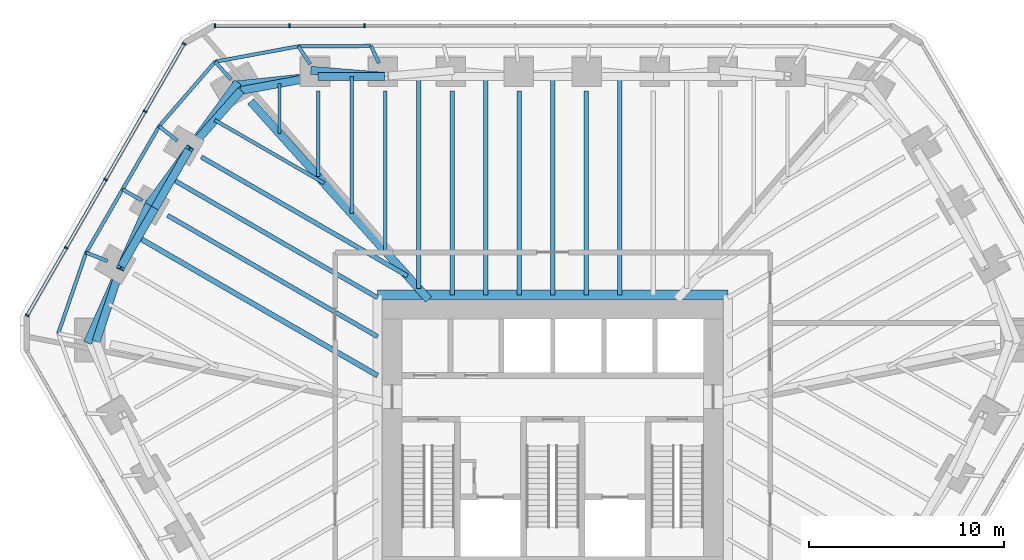
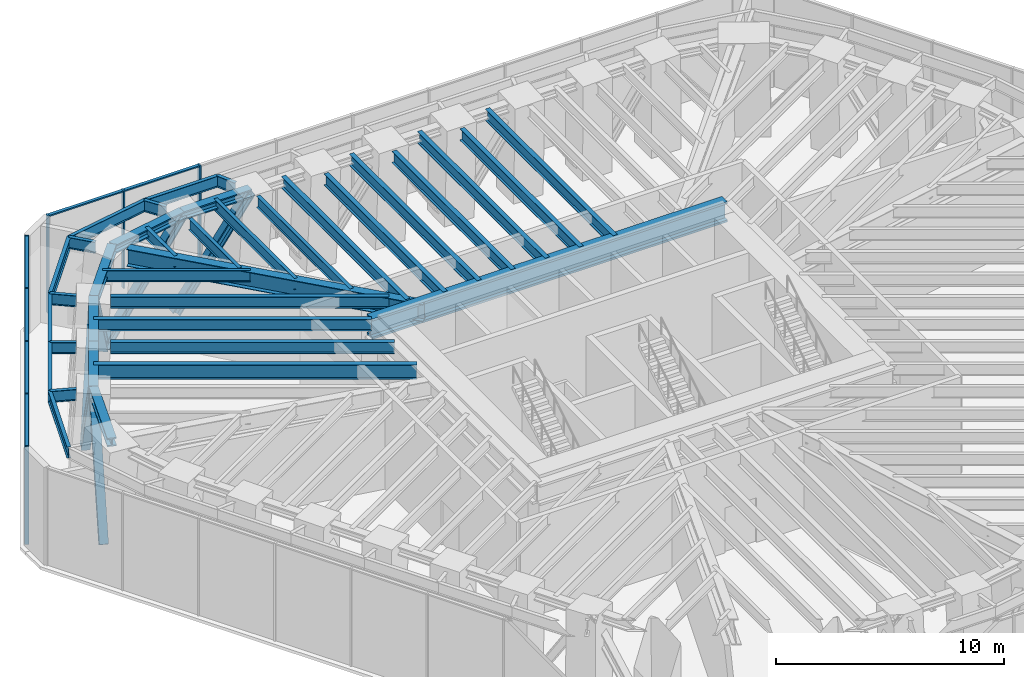
# One storey, part 7 of 13: 36 beams, 20 members, 2 elements without a shape of their own.
"""IFC4 building model written with IfcOpenShell, lengths in metres."""

from ifc_helpers import new_model, si_unit, direction, frame, origin, origin_2d, place, context, subcontext, project, spatial, rectangle, i_section, extrude, material, material_profile, profile_set, type_object, element, aggregate, save


model = new_model("IFC4")

# Units and contexts
model_context = context("Model", 3, precision=1e-05, world=origin(), true_north=direction((0.0, 1.0)))
body_context = subcontext(model_context, "Body", "Model", "MODEL_VIEW")
ifc_project = project(units=[si_unit("LENGTHUNIT", "METRE"), si_unit("AREAUNIT", "SQUARE_METRE"), si_unit("VOLUMEUNIT", "CUBIC_METRE"), si_unit("PLANEANGLEUNIT", "RADIAN"), si_unit("MASSUNIT", "GRAM", prefix="KILO")], contexts=[model_context])

# Site, building, storey
site_placement = place(None, origin())
site = spatial("IfcSite", under=ifc_project, at=site_placement, CompositionType="ELEMENT")
building_placement = place(site_placement, origin())
building = spatial("IfcBuilding", under=site, at=building_placement, Name="Sandreach Pilgrim Tower", CompositionType="ELEMENT")
storey_placement = place(building_placement, frame((0.0, 0.0, 251.60009765625)))
storey = spatial("IfcBuildingStorey", under=building, at=storey_placement, Name="L63", CompositionType="ELEMENT", Elevation=251.60009765625)

# Beams
ifc_material_1 = material(Name="Steel ASTM A913 Grade 65", Category="steel")
ifc_material_profile_1 = material_profile(ifc_material_1, i_section(OverallWidth=0.419189453125, OverallDepth=0.45458984375, WebThickness=0.042236328125, FlangeThickness=0.067626953125, at=origin_2d()), Name="W14X370")
ifc_profile_set_1 = profile_set([ifc_material_profile_1], Name="Steel ASTM A913 Grade 65")
beam_type_1 = type_object("IfcBeamType", Name="Belt truss chord W14X370", PredefinedType="BEAM", material=ifc_profile_set_1)
beam_1_placement = place(storey_placement, frame((-12.0576171875, 18.56640625, 5.012451171875), z_axis=(1.0, 0.0, 0.0), x_axis=(0.0, 1.0, 0.0)))
element("IfcBeam", 1, at=beam_1_placement, inside=storey, type_object=beam_type_1, Name="BM L63 BTT01", PredefinedType="BEAM", context=body_context, shape_type="SweptSolid", body=[
    extrude(i_section(OverallWidth=0.419189453125, OverallDepth=0.45458984375, WebThickness=0.042236328125, FlangeThickness=0.067626953125, at=origin_2d()), origin(), (0.0, 0.0, 1.0), 3.445068359375),
])
beam_2_placement = place(storey_placement, frame((-23.455810546875, 4.952392578125, 5.012451171875), z_axis=(0.317293238289, 0.948327475578, 0.0), x_axis=(-0.948327475578, 0.317293238289, 0.0)))
element("IfcBeam", 2, at=beam_2_placement, inside=storey, type_object=beam_type_1, Name="BM L63 BTT35", PredefinedType="BEAM", context=body_context, shape_type="SweptSolid", body=[
    extrude(i_section(OverallWidth=0.419189453125, OverallDepth=0.45458984375, WebThickness=0.042236328125, FlangeThickness=0.067626953125, at=origin_2d()), origin(), (0.0, 0.0, 1.0), 4.054931640625),
])
for number, where, z_axis, x_axis, name in (
    (3, (-22.169189453125, 8.7978515625, 5.012451171875), (0.499980616072, 0.866036594811, 0.0), (-0.866036594811, 0.499980616072, 0.0), "BM L63 BTT36"),
    (4, (-20.4365234375, 11.799072265625, 5.012451171875), (0.500033451825, 0.866006089503, 0.0), (-0.866006089503, 0.500033451825, 0.0), "BM L63 BTT37"),
):
    element("IfcBeam", number, at=place(storey_placement, frame(where, z_axis=z_axis, x_axis=x_axis)), inside=storey, type_object=beam_type_1, Name=name, PredefinedType="BEAM", context=body_context, shape_type="SweptSolid", body=[
        extrude(i_section(OverallWidth=0.419189453125, OverallDepth=0.45458984375, WebThickness=0.042236328125, FlangeThickness=0.067626953125, at=origin_2d()), origin(), (0.0, 0.0, 1.0), 3.465576171875),
    ])
beam_3_placement = place(storey_placement, frame((-18.70361328125, 14.80029296875, 5.012451171875), z_axis=(0.662650525414, 0.748928755736, 0.0), x_axis=(-0.748928755736, 0.662650525414, 0.0)))
element("IfcBeam", 5, at=beam_3_placement, inside=storey, type_object=beam_type_1, Name="BM L63 BTT38", PredefinedType="BEAM", context=body_context, shape_type="SweptSolid", body=[
    extrude(i_section(OverallWidth=0.419189453125, OverallDepth=0.45458984375, WebThickness=0.042236328125, FlangeThickness=0.067626953125, at=origin_2d()), origin(), (0.0, 0.0, 1.0), 4.054931640625),
])
beam_4_placement = place(storey_placement, frame((-16.0166015625, 17.837158203125, 5.012451171875), z_axis=(0.983454894629, 0.181153167875, 0.0), x_axis=(-0.181153167875, 0.983454894629, 0.0)))
element("IfcBeam", 6, at=beam_4_placement, inside=storey, type_object=beam_type_1, Name="BM L63 BTT39", PredefinedType="BEAM", context=body_context, shape_type="SweptSolid", body=[
    extrude(i_section(OverallWidth=0.419189453125, OverallDepth=0.45458984375, WebThickness=0.042236328125, FlangeThickness=0.067626953125, at=origin_2d()), origin(), (0.0, 0.0, 1.0), 4.025634765625),
])

# Members
ifc_material_2 = material(Name="Steel ASTM A913 Grade 65", Category="steel")
ifc_material_profile_2 = material_profile(ifc_material_2, i_section(OverallWidth=0.411376953125, OverallDepth=0.434326171875, WebThickness=0.035888671875, FlangeThickness=0.057373046875, at=origin_2d()), Name="W14X311")
ifc_profile_set_2 = profile_set([ifc_material_profile_2], Name="Steel ASTM A913 Grade 65")
member_type_1 = type_object("IfcMemberType", Name="Belt truss diagonal W14X311", PredefinedType="BRACE", material=ifc_profile_set_2)
member_1_placement = place(storey_placement, frame((-12.249267578125, 18.861572265625, -0.387451171875), z_axis=(0.558032412679, -0.045291433065, 0.828582230373), x_axis=(0.080896716562, 0.996722489587, 0.0)))
element("IfcMember", 7, at=member_1_placement, inside=storey, type_object=member_type_1, Name="Belt truss diagonal L63 bay 01", PredefinedType="BRACE", context=body_context, shape_type="SweptSolid", body=[
    extrude(i_section(OverallWidth=0.411376953125, OverallDepth=0.434326171875, WebThickness=0.035888671875, FlangeThickness=0.057373046875, at=origin_2d()), origin(), (0.0, 0.0, 1.0), 6.51708984375),
])
member_2_placement = place(storey_placement, frame((-23.832275390625, 5.03173828125, -0.387451171875), z_axis=(0.244920208784, 0.554629938447, 0.795235639737), x_axis=(-0.914777330361, 0.403958458085, 0.0)))
element("IfcMember", 8, at=member_2_placement, inside=storey, type_object=member_type_1, Name="Belt truss diagonal L63 bay 35", PredefinedType="BRACE", context=body_context, shape_type="SweptSolid", body=[
    extrude(i_section(OverallWidth=0.411376953125, OverallDepth=0.434326171875, WebThickness=0.035888671875, FlangeThickness=0.057373046875, at=origin_2d()), origin(), (0.0, 0.0, 1.0), 6.790283203125),
])
member_3_placement = place(storey_placement, frame((-22.169189453125, 8.7978515625, 5.012451171875), z_axis=(0.219874733179, 0.49566785047, -0.84021930692), x_axis=(-0.914100211169, 0.40548835241, 0.0)))
element("IfcMember", 9, at=member_3_placement, inside=storey, type_object=member_type_1, Name="Belt truss diagonal L63 bay 36", PredefinedType="BRACE", context=body_context, shape_type="SweptSolid", body=[
    extrude(i_section(OverallWidth=0.411376953125, OverallDepth=0.434326171875, WebThickness=0.035888671875, FlangeThickness=0.057373046875, at=origin_2d()), origin(), (0.0, 0.0, 1.0), 6.4267578125),
])
member_4_placement = place(storey_placement, frame((-20.756103515625, 11.9833984375, -0.387451171875), z_axis=(0.319353444465, 0.438289525661, 0.840187877325), x_axis=(-0.808211729907, 0.588892010169, 0.0)))
element("IfcMember", 10, at=member_4_placement, inside=storey, type_object=member_type_1, Name="Belt truss diagonal L63 bay 37", PredefinedType="BRACE", context=body_context, shape_type="SweptSolid", body=[
    extrude(i_section(OverallWidth=0.411376953125, OverallDepth=0.434326171875, WebThickness=0.035888671875, FlangeThickness=0.057373046875, at=origin_2d()), origin(), (0.0, 0.0, 1.0), 6.427001953125),
])
member_5_placement = place(storey_placement, frame((-18.70361328125, 14.80029296875, 5.012451171875), z_axis=(0.357862455817, 0.489386706131, -0.795257891868), x_axis=(-0.807207447638, 0.590267851469, 0.0)))
element("IfcMember", 11, at=member_5_placement, inside=storey, type_object=member_type_1, Name="Belt truss diagonal L63 bay 38", PredefinedType="BRACE", context=body_context, shape_type="SweptSolid", body=[
    extrude(i_section(OverallWidth=0.411376953125, OverallDepth=0.434326171875, WebThickness=0.035888671875, FlangeThickness=0.057373046875, at=origin_2d()), origin(), (0.0, 0.0, 1.0), 6.7900390625),
])
member_6_placement = place(storey_placement, frame((-16.273681640625, 18.123291015625, -0.387451171875), z_axis=(0.614124235953, 0.064545456497, 0.786565513394), x_axis=(-0.104525897822, 0.994522165004, 0.0)))
element("IfcMember", 12, at=member_6_placement, inside=storey, type_object=member_type_1, Name="Belt truss diagonal L63 bay 39", PredefinedType="BRACE", context=body_context, shape_type="SweptSolid", body=[
    extrude(i_section(OverallWidth=0.411376953125, OverallDepth=0.434326171875, WebThickness=0.035888671875, FlangeThickness=0.057373046875, at=origin_2d()), origin(), (0.0, 0.0, 1.0), 6.865234375),
])

# Curtain wall, members
ifc_material_3 = material(Name="Aluminium framed curtain wall", Category="aluminium")
curtain_wall_type = type_object("IfcCurtainWallType", Name="Plant storey louvred curtain wall", PredefinedType="NOTDEFINED", material=ifc_material_3)
curtain_wall_1_placement = place(storey_placement, origin())
curtain_wall_1 = element("IfcCurtainWall", 13, at=curtain_wall_1_placement, inside=storey, type_object=curtain_wall_type, Name="CW-L L63 N", PredefinedType="NOTDEFINED")
ifc_material_4 = material(Name="Aluminium extrusion", Category="aluminium")
ifc_material_profile_3 = material_profile(ifc_material_4, rectangle(XDim=0.080078125, YDim=0.199951171875, at=origin_2d()), Name="CW-LM 80X200")
ifc_profile_set_3 = profile_set([ifc_material_profile_3], Name="Aluminium extrusion")
member_type_2 = type_object("IfcMemberType", Name="CW-L mullion", PredefinedType="MULLION", material=ifc_profile_set_3)
member_7_placement = place(storey_placement, frame((-17.349853515625, 21.16015625, 0.0), z_axis=(0.0, 0.0, 1.0), x_axis=(1.0, 0.0, 0.0)))
member_7 = element("IfcMember", 14, at=member_7_placement, type_object=member_type_2, Name="CW-L mullion 1", PredefinedType="MULLION", context=body_context, shape_type="SweptSolid", body=[
    extrude(rectangle(XDim=0.080078125, YDim=0.199951171875, at=origin_2d()), origin(), (0.0, 0.0, 1.0), 5.239990234375),
])
member_8_placement = place(storey_placement, frame((-13.525390625, 21.16015625, 0.0), z_axis=(0.0, 0.0, 1.0), x_axis=(1.0, 0.0, 0.0)))
member_8 = element("IfcMember", 15, at=member_8_placement, type_object=member_type_2, Name="CW-L mullion 2", PredefinedType="MULLION", context=body_context, shape_type="SweptSolid", body=[
    extrude(rectangle(XDim=0.080078125, YDim=0.199951171875, at=origin_2d()), origin(), (0.0, 0.0, 1.0), 5.239990234375),
])
member_9_placement = place(storey_placement, frame((-9.6611328125, 21.16015625, 0.0), z_axis=(0.0, 0.0, 1.0), x_axis=(1.0, 0.0, 0.0)))
member_9 = element("IfcMember", 16, at=member_9_placement, type_object=member_type_2, Name="CW-L mullion 3", PredefinedType="MULLION", context=body_context, shape_type="SweptSolid", body=[
    extrude(rectangle(XDim=0.080078125, YDim=0.199951171875, at=origin_2d()), origin(), (0.0, 0.0, 1.0), 5.239990234375),
])

curtain_wall_2_placement = place(storey_placement, origin())
curtain_wall_2 = element("IfcCurtainWall", 17, at=curtain_wall_2_placement, inside=storey, type_object=curtain_wall_type, Name="CW-L L63 NW", PredefinedType="NOTDEFINED")
member_10_placement = place(storey_placement, frame((-27.000244140625, 6.28466796875, 0.0), z_axis=(0.0, 0.0, 1.0), x_axis=(0.5, 0.866025403784, 0.0)))
member_10 = element("IfcMember", 18, at=member_10_placement, type_object=member_type_2, Name="CW-L mullion 1", PredefinedType="MULLION", context=body_context, shape_type="SweptSolid", body=[
    extrude(rectangle(XDim=0.080078125, YDim=0.199951171875, at=origin_2d()), origin(), (0.0, 0.0, 1.0), 5.239990234375),
])
member_11_placement = place(storey_placement, frame((-24.995849609375, 9.75634765625, 0.0), z_axis=(0.0, 0.0, 1.0), x_axis=(0.5, 0.866025403784, 0.0)))
member_11 = element("IfcMember", 19, at=member_11_placement, type_object=member_type_2, Name="CW-L mullion 2", PredefinedType="MULLION", context=body_context, shape_type="SweptSolid", body=[
    extrude(rectangle(XDim=0.080078125, YDim=0.199951171875, at=origin_2d()), origin(), (0.0, 0.0, 1.0), 5.239990234375),
])
member_12_placement = place(storey_placement, frame((-22.971435546875, 13.262451171875, 0.0), z_axis=(0.0, 0.0, 1.0), x_axis=(0.5, 0.866025403784, 0.0)))
member_12 = element("IfcMember", 20, at=member_12_placement, type_object=member_type_2, Name="CW-L mullion 3", PredefinedType="MULLION", context=body_context, shape_type="SweptSolid", body=[
    extrude(rectangle(XDim=0.080078125, YDim=0.199951171875, at=origin_2d()), origin(), (0.0, 0.0, 1.0), 5.239990234375),
])
member_13_placement = place(storey_placement, frame((-20.947021484375, 16.768798828125, 0.0), z_axis=(0.0, 0.0, 1.0), x_axis=(0.5, 0.866025403784, 0.0)))
member_13 = element("IfcMember", 21, at=member_13_placement, type_object=member_type_2, Name="CW-L mullion 4", PredefinedType="MULLION", context=body_context, shape_type="SweptSolid", body=[
    extrude(rectangle(XDim=0.080078125, YDim=0.199951171875, at=origin_2d()), origin(), (0.0, 0.0, 1.0), 5.239990234375),
])
member_14_placement = place(storey_placement, frame((-18.94287109375, 20.240478515625, 0.0), z_axis=(0.0, 0.0, 1.0), x_axis=(0.5, 0.866025403784, 0.0)))
member_14 = element("IfcMember", 22, at=member_14_placement, type_object=member_type_2, Name="CW-L mullion 5", PredefinedType="MULLION", context=body_context, shape_type="SweptSolid", body=[
    extrude(rectangle(XDim=0.080078125, YDim=0.199951171875, at=origin_2d()), origin(), (0.0, 0.0, 1.0), 5.239990234375),
])

# Member
ifc_material_5 = material(Name="Aluminium extrusion", Category="aluminium")
ifc_material_profile_4 = material_profile(ifc_material_5, rectangle(XDim=0.159912109375, YDim=0.070068359375, at=origin_2d()), Name="CW-LT 160X70")
ifc_profile_set_4 = profile_set([ifc_material_profile_4], Name="Aluminium extrusion")
member_type_3 = type_object("IfcMemberType", Name="CW-L transom", PredefinedType="USERDEFINED", material=ifc_profile_set_4)
member_15_placement = place(storey_placement, frame((-17.309814453125, 21.16015625, 5.204833984375), z_axis=(1.0, 0.0, 0.0), x_axis=(0.0, 1.0, 0.0)))
member_15 = element("IfcMember", 23, at=member_15_placement, type_object=member_type_3, Name="CW-L head transom 1", ObjectType="TRANSOM", PredefinedType="USERDEFINED", context=body_context, shape_type="SweptSolid", body=[
    extrude(rectangle(XDim=0.159912109375, YDim=0.070068359375, at=origin_2d()), origin(), (0.0, 0.0, 1.0), 3.744384765625),
])

member_16_placement = place(storey_placement, frame((-13.4853515625, 21.16015625, 5.204833984375), z_axis=(1.0, 0.0, 0.0), x_axis=(0.0, 1.0, 0.0)))
member_16 = element("IfcMember", 24, at=member_16_placement, type_object=member_type_3, Name="CW-L head transom 2", ObjectType="TRANSOM", PredefinedType="USERDEFINED", context=body_context, shape_type="SweptSolid", body=[
    extrude(rectangle(XDim=0.159912109375, YDim=0.070068359375, at=origin_2d()), origin(), (0.0, 0.0, 1.0), 3.784423828125),
])

aggregate(curtain_wall_1, [member_7, member_8, member_9, member_15, member_16])

member_17_placement = place(storey_placement, frame((-26.980224609375, 6.3193359375, 5.204833984375), z_axis=(0.500002174158, 0.86602414853, 0.0), x_axis=(-0.86602414853, 0.500002174158, 0.0)))
member_17 = element("IfcMember", 25, at=member_17_placement, type_object=member_type_3, Name="CW-L head transom 1", ObjectType="TRANSOM", PredefinedType="USERDEFINED", context=body_context, shape_type="SweptSolid", body=[
    extrude(rectangle(XDim=0.159912109375, YDim=0.070068359375, at=origin_2d()), origin(), (0.0, 0.0, 1.0), 3.9287109375),
])

member_18_placement = place(storey_placement, frame((-24.975830078125, 9.791015625, 5.204833984375), z_axis=(0.500002902497, 0.866023728021, 0.0), x_axis=(-0.866023728021, 0.500002902497, 0.0)))
member_18 = element("IfcMember", 26, at=member_18_placement, type_object=member_type_3, Name="CW-L head transom 2", ObjectType="TRANSOM", PredefinedType="USERDEFINED", context=body_context, shape_type="SweptSolid", body=[
    extrude(rectangle(XDim=0.159912109375, YDim=0.070068359375, at=origin_2d()), origin(), (0.0, 0.0, 1.0), 3.96875),
])

member_19_placement = place(storey_placement, frame((-22.951416015625, 13.297119140625, 5.204833984375), z_axis=(0.500002902497, 0.866023728021, 0.0), x_axis=(-0.866023728021, 0.500002902497, 0.0)))
member_19 = element("IfcMember", 27, at=member_19_placement, type_object=member_type_3, Name="CW-L head transom 3", ObjectType="TRANSOM", PredefinedType="USERDEFINED", context=body_context, shape_type="SweptSolid", body=[
    extrude(rectangle(XDim=0.159912109375, YDim=0.070068359375, at=origin_2d()), origin(), (0.0, 0.0, 1.0), 3.96875),
])

member_20_placement = place(storey_placement, frame((-20.927001953125, 16.803466796875, 5.204833984375), z_axis=(0.500002174158, 0.86602414853, 0.0), x_axis=(-0.86602414853, 0.500002174158, 0.0)))
member_20 = element("IfcMember", 28, at=member_20_placement, type_object=member_type_3, Name="CW-L head transom 4", ObjectType="TRANSOM", PredefinedType="USERDEFINED", context=body_context, shape_type="SweptSolid", body=[
    extrude(rectangle(XDim=0.159912109375, YDim=0.070068359375, at=origin_2d()), origin(), (0.0, 0.0, 1.0), 3.9287109375),
])

aggregate(curtain_wall_2, [member_10, member_11, member_12, member_13, member_14, member_17, member_18, member_19, member_20])

# Beams
ifc_material_6 = material(Name="Steel ASTM A992 Grade 50", Category="steel")
ifc_material_profile_5 = material_profile(ifc_material_6, i_section(OverallWidth=0.472412109375, OverallDepth=1.0947265625, WebThickness=0.07666015625, FlangeThickness=0.114990234375, at=origin_2d()), Name="W36X925")
ifc_profile_set_5 = profile_set([ifc_material_profile_5], Name="Steel ASTM A992 Grade 50")
beam_type_2 = type_object("IfcBeamType", Name="Core edge beam W36X925", PredefinedType="BEAM", material=ifc_profile_set_5)
beam_5_placement = place(storey_placement, frame((-8.996337890625, 7.34619140625, 4.692626953125), z_axis=(1.0, 0.0, 0.0), x_axis=(0.0, 1.0, 0.0)))
element("IfcBeam", 29, at=beam_5_placement, inside=storey, type_object=beam_type_2, Name="BM L63 CEN", PredefinedType="BEAM", context=body_context, shape_type="SweptSolid", body=[
    extrude(i_section(OverallWidth=0.472412109375, OverallDepth=1.0947265625, WebThickness=0.07666015625, FlangeThickness=0.114990234375, at=origin_2d()), origin(), (0.0, 0.0, 1.0), 17.99267578125),
])
ifc_material_7 = material(Name="Steel ASTM A992 Grade 50", Category="steel")
ifc_material_profile_6 = material_profile(ifc_material_7, i_section(OverallWidth=0.419189453125, OverallDepth=0.927001953125, WebThickness=0.019287109375, FlangeThickness=0.031982421875, at=origin_2d()), Name="W36X231")
ifc_profile_set_6 = profile_set([ifc_material_profile_6], Name="Steel ASTM A992 Grade 50")
beam_type_3 = type_object("IfcBeamType", Name="Corner girder W36X231", PredefinedType="BEAM", material=ifc_profile_set_6)
beam_6_placement = place(storey_placement, frame((-15.515625, 17.279052734375, 4.7763671875), z_axis=(0.668119324795, -0.744054143081, 0.0), x_axis=(0.744054143081, 0.668119324795, 0.0)))
element("IfcBeam", 30, at=beam_6_placement, inside=storey, type_object=beam_type_3, Name="BM L63 CG39", PredefinedType="BEAM", context=body_context, shape_type="SweptSolid", body=[
    extrude(i_section(OverallWidth=0.419189453125, OverallDepth=0.927001953125, WebThickness=0.019287109375, FlangeThickness=0.031982421875, at=origin_2d()), origin(), (0.0, 0.0, 1.0), 13.680419921875),
])
ifc_material_8 = material(Name="Steel ASTM A992 Grade 50", Category="steel")
ifc_material_profile_7 = material_profile(ifc_material_8, i_section(OverallWidth=0.1787109375, OverallDepth=0.60205078125, WebThickness=0.010986328125, FlangeThickness=0.014892578125, at=origin_2d()), Name="W24X62")
ifc_profile_set_7 = profile_set([ifc_material_profile_7], Name="Steel ASTM A992 Grade 50")
beam_type_4 = type_object("IfcBeamType", Name="Floor beam W24X62", PredefinedType="BEAM", material=ifc_profile_set_7)
beam_7_placement = place(storey_placement, frame((-12.0576171875, 17.81640625, 4.93896484375), z_axis=(0.0, -1.0, 0.0), x_axis=(1.0, 0.0, 0.0)))
element("IfcBeam", 31, at=beam_7_placement, inside=storey, type_object=beam_type_4, Name="BM L63 F01", PredefinedType="BEAM", context=body_context, shape_type="SweptSolid", body=[
    extrude(i_section(OverallWidth=0.1787109375, OverallDepth=0.60205078125, WebThickness=0.010986328125, FlangeThickness=0.014892578125, at=origin_2d()), origin(), (0.0, 0.0, 1.0), 4.388427734375),
])
beam_8_placement = place(storey_placement, frame((-8.612548828125, 17.81640625, 4.93896484375), z_axis=(0.0, -1.0, 0.0), x_axis=(1.0, 0.0, 0.0)))
element("IfcBeam", 32, at=beam_8_placement, inside=storey, type_object=beam_type_4, Name="BM L63 F02", PredefinedType="BEAM", context=body_context, shape_type="SweptSolid", body=[
    extrude(i_section(OverallWidth=0.1787109375, OverallDepth=0.60205078125, WebThickness=0.010986328125, FlangeThickness=0.014892578125, at=origin_2d()), origin(), (0.0, 0.0, 1.0), 8.224853515625),
])
beam_9_placement = place(storey_placement, frame((-10.3349609375, 18.56640625, 4.93896484375), z_axis=(0.0, -1.0, 0.0), x_axis=(1.0, 0.0, 0.0)))
element("IfcBeam", 33, at=beam_9_placement, inside=storey, type_object=beam_type_4, Name="BM L63 FM01", PredefinedType="BEAM", context=body_context, shape_type="SweptSolid", body=[
    extrude(i_section(OverallWidth=0.1787109375, OverallDepth=0.60205078125, WebThickness=0.010986328125, FlangeThickness=0.014892578125, at=origin_2d()), origin(), (0.0, 0.0, 1.0), 7.056640625),
])
beam_10_placement = place(storey_placement, frame((-17.360107421875, 16.31884765625, 4.93896484375), z_axis=(0.866023980233, -0.500002465655, 0.0), x_axis=(0.500002465655, 0.866023980233, 0.0)))
element("IfcBeam", 34, at=beam_10_placement, inside=storey, type_object=beam_type_4, Name="BM L63 FM38", PredefinedType="BEAM", context=body_context, shape_type="SweptSolid", body=[
    extrude(i_section(OverallWidth=0.1787109375, OverallDepth=0.60205078125, WebThickness=0.010986328125, FlangeThickness=0.014892578125, at=origin_2d()), origin(), (0.0, 0.0, 1.0), 6.49072265625),
])
beam_11_placement = place(storey_placement, frame((-14.037109375, 18.201904296875, 4.93896484375), z_axis=(0.0, -1.0, 0.0), x_axis=(1.0, 0.0, 0.0)))
element("IfcBeam", 35, at=beam_11_placement, inside=storey, type_object=beam_type_4, Name="BM L63 FM39", PredefinedType="BEAM", context=body_context, shape_type="SweptSolid", body=[
    extrude(i_section(OverallWidth=0.1787109375, OverallDepth=0.60205078125, WebThickness=0.010986328125, FlangeThickness=0.014892578125, at=origin_2d()), origin(), (0.0, 0.0, 1.0), 2.5693359375),
])
ifc_material_9 = material(Name="Steel ASTM A992 Grade 50", Category="steel")
ifc_material_profile_8 = material_profile(ifc_material_9, i_section(OverallWidth=0.23046875, OverallDepth=0.6171875, WebThickness=0.01318359375, FlangeThickness=0.022216796875, at=origin_2d()), Name="W24X94")
ifc_profile_set_8 = profile_set([ifc_material_profile_8], Name="Steel ASTM A992 Grade 50")
beam_type_5 = type_object("IfcBeamType", Name="Floor beam W24X94", PredefinedType="BEAM", material=ifc_profile_set_8)
for number, where, z_axis, x_axis, name in (
    (36, (-5.16748046875, 17.81640625, 4.931396484375), (0.0, -1.0, 0.0), (1.0, 0.0, 0.0), "BM L63 F03"),
    (37, (-1.722412109375, 17.81640625, 4.931396484375), (0.0, -1.0, 0.0), (1.0, 0.0, 0.0), "BM L63 F04"),
    (38, (1.722412109375, 17.81640625, 4.931396484375), (0.0, -1.0, 0.0), (1.0, 0.0, 0.0), "BM L63 F05"),
):
    element("IfcBeam", number, at=place(storey_placement, frame(where, z_axis=z_axis, x_axis=x_axis)), inside=storey, type_object=beam_type_5, Name=name, PredefinedType="BEAM", context=body_context, shape_type="SweptSolid", body=[
        extrude(i_section(OverallWidth=0.23046875, OverallDepth=0.6171875, WebThickness=0.01318359375, FlangeThickness=0.022216796875, at=origin_2d()), origin(), (0.0, 0.0, 1.0), 10.47021484375),
    ])
beam_12_placement = place(storey_placement, frame((-19.786865234375, 11.424072265625, 4.931396484375), z_axis=(0.866023089177, -0.500004008996, 0.0), x_axis=(0.500004008996, 0.866023089177, 0.0)))
element("IfcBeam", 39, at=beam_12_placement, inside=storey, type_object=beam_type_5, Name="BM L63 F37", PredefinedType="BEAM", context=body_context, shape_type="SweptSolid", body=[
    extrude(i_section(OverallWidth=0.23046875, OverallDepth=0.6171875, WebThickness=0.01318359375, FlangeThickness=0.022216796875, at=origin_2d()), origin(), (0.0, 0.0, 1.0), 12.4599609375),
])
beam_13_placement = place(storey_placement, frame((-18.05419921875, 14.42529296875, 4.931396484375), z_axis=(0.866026038864, -0.499998900008, 0.0), x_axis=(0.499998900008, 0.866026038864, 0.0)))
element("IfcBeam", 40, at=beam_13_placement, inside=storey, type_object=beam_type_5, Name="BM L63 F38", PredefinedType="BEAM", context=body_context, shape_type="SweptSolid", body=[
    extrude(i_section(OverallWidth=0.23046875, OverallDepth=0.6171875, WebThickness=0.01318359375, FlangeThickness=0.022216796875, at=origin_2d()), origin(), (0.0, 0.0, 1.0), 12.2314453125),
])
beam_14_placement = place(storey_placement, frame((-6.89013671875, 18.56640625, 4.931396484375), z_axis=(0.0, -1.0, 0.0), x_axis=(1.0, 0.0, 0.0)))
element("IfcBeam", 41, at=beam_14_placement, inside=storey, type_object=beam_type_5, Name="BM L63 FM02", PredefinedType="BEAM", context=body_context, shape_type="SweptSolid", body=[
    extrude(i_section(OverallWidth=0.23046875, OverallDepth=0.6171875, WebThickness=0.01318359375, FlangeThickness=0.022216796875, at=origin_2d()), origin(), (0.0, 0.0, 1.0), 10.893310546875),
])
for number, where, z_axis, x_axis, name in (
    (42, (-3.445068359375, 18.56640625, 4.931396484375), (0.0, -1.0, 0.0), (1.0, 0.0, 0.0), "BM L63 FM03"),
    (43, (0.0, 18.56640625, 4.931396484375), (0.0, -1.0, 0.0), (1.0, 0.0, 0.0), "BM L63 FM04"),
    (44, (3.445068359375, 18.56640625, 4.931396484375), (0.0, -1.0, 0.0), (1.0, 0.0, 0.0), "BM L63 FM05"),
):
    element("IfcBeam", number, at=place(storey_placement, frame(where, z_axis=z_axis, x_axis=x_axis)), inside=storey, type_object=beam_type_5, Name=name, PredefinedType="BEAM", context=body_context, shape_type="SweptSolid", body=[
        extrude(i_section(OverallWidth=0.23046875, OverallDepth=0.6171875, WebThickness=0.01318359375, FlangeThickness=0.022216796875, at=origin_2d()), origin(), (0.0, 0.0, 1.0), 11.22021484375),
    ])
beam_15_placement = place(storey_placement, frame((-19.570068359375, 13.299560546875, 4.931396484375), z_axis=(0.866025751498, -0.499999397742, 0.0), x_axis=(0.499999397742, 0.866025751498, 0.0)))
element("IfcBeam", 45, at=beam_15_placement, inside=storey, type_object=beam_type_5, Name="BM L63 FM37", PredefinedType="BEAM", context=body_context, shape_type="SweptSolid", body=[
    extrude(i_section(OverallWidth=0.23046875, OverallDepth=0.6171875, WebThickness=0.01318359375, FlangeThickness=0.022216796875, at=origin_2d()), origin(), (0.0, 0.0, 1.0), 12.20947265625),
])
ifc_material_10 = material(Name="Steel ASTM A992 Grade 50", Category="steel")
ifc_material_profile_9 = material_profile(ifc_material_10, i_section(OverallWidth=0.2666015625, OverallDepth=0.761962890625, WebThickness=0.014404296875, FlangeThickness=0.021484375, at=origin_2d()), Name="W30X116")
ifc_profile_set_9 = profile_set([ifc_material_profile_9], Name="Steel ASTM A992 Grade 50")
beam_type_6 = type_object("IfcBeamType", Name="Floor beam W30X116", PredefinedType="BEAM", material=ifc_profile_set_9)
beam_16_placement = place(storey_placement, frame((-21.302978515625, 10.29833984375, 4.85888671875), z_axis=(0.866025942161, -0.499999067503, 0.0), x_axis=(0.499999067503, 0.866025942161, 0.0)))
element("IfcBeam", 46, at=beam_16_placement, inside=storey, type_object=beam_type_6, Name="BM L63 FM36", PredefinedType="BEAM", context=body_context, shape_type="SweptSolid", body=[
    extrude(i_section(OverallWidth=0.2666015625, OverallDepth=0.761962890625, WebThickness=0.014404296875, FlangeThickness=0.021484375, at=origin_2d()), origin(), (0.0, 0.0, 1.0), 14.21044921875),
])
ifc_material_11 = material(Name="Steel ASTM A992 Grade 50", Category="steel")
ifc_material_profile_10 = material_profile(ifc_material_11, i_section(OverallWidth=0.1787109375, OverallDepth=0.60205078125, WebThickness=0.010986328125, FlangeThickness=0.014892578125, at=origin_2d()), Name="W24X62")
ifc_profile_set_10 = profile_set([ifc_material_profile_10], Name="Steel ASTM A992 Grade 50")
beam_type_7 = type_object("IfcBeamType", Name="Setback roof edge beam W24X62", PredefinedType="BEAM", material=ifc_profile_set_10)
beam_17_placement = place(storey_placement, frame((-13.059814453125, 20.10986328125, 4.89892578125), z_axis=(0.999989466745, 0.004589814614, 0.0), x_axis=(-0.004589814614, 0.999989466745, 0.0)))
element("IfcBeam", 47, at=beam_17_placement, inside=storey, type_object=beam_type_7, Name="BM L63 RE01", PredefinedType="BEAM", context=body_context, shape_type="SweptSolid", body=[
    extrude(i_section(OverallWidth=0.1787109375, OverallDepth=0.60205078125, WebThickness=0.010986328125, FlangeThickness=0.014892578125, at=origin_2d()), origin(), (0.0, 0.0, 1.0), 3.723388671875),
])
beam_18_placement = place(storey_placement, frame((-25.401123046875, 5.363037109375, 4.89892578125), z_axis=(0.326571753487, 0.94517241275, 0.0), x_axis=(-0.94517241275, 0.326571753487, 0.0)))
element("IfcBeam", 48, at=beam_18_placement, inside=storey, type_object=beam_type_7, Name="BM L63 RE35", PredefinedType="BEAM", context=body_context, shape_type="SweptSolid", body=[
    extrude(i_section(OverallWidth=0.1787109375, OverallDepth=0.60205078125, WebThickness=0.010986328125, FlangeThickness=0.014892578125, at=origin_2d()), origin(), (0.0, 0.0, 1.0), 4.38916015625),
])
beam_19_placement = place(storey_placement, frame((-23.9677734375, 9.511474609375, 4.89892578125), z_axis=(0.49939147885, 0.866376448694, 0.0), x_axis=(-0.866376448694, 0.49939147885, 0.0)))
element("IfcBeam", 49, at=beam_19_placement, inside=storey, type_object=beam_type_7, Name="BM L63 RE36", PredefinedType="BEAM", context=body_context, shape_type="SweptSolid", body=[
    extrude(i_section(OverallWidth=0.1787109375, OverallDepth=0.60205078125, WebThickness=0.010986328125, FlangeThickness=0.014892578125, at=origin_2d()), origin(), (0.0, 0.0, 1.0), 3.746826171875),
])
beam_20_placement = place(storey_placement, frame((-22.0966796875, 12.757568359375, 4.89892578125), z_axis=(0.500581548084, 0.865689386396, 0.0), x_axis=(-0.865689386396, 0.500581548084, 0.0)))
element("IfcBeam", 50, at=beam_20_placement, inside=storey, type_object=beam_type_7, Name="BM L63 RE37", PredefinedType="BEAM", context=body_context, shape_type="SweptSolid", body=[
    extrude(i_section(OverallWidth=0.1787109375, OverallDepth=0.60205078125, WebThickness=0.010986328125, FlangeThickness=0.014892578125, at=origin_2d()), origin(), (0.0, 0.0, 1.0), 3.74658203125),
])
beam_21_placement = place(storey_placement, frame((-20.22119140625, 16.0009765625, 4.89892578125), z_axis=(0.655273515477, 0.75539169966, 0.0), x_axis=(-0.75539169966, 0.655273515477, 0.0)))
element("IfcBeam", 51, at=beam_21_placement, inside=storey, type_object=beam_type_7, Name="BM L63 RE38", PredefinedType="BEAM", context=body_context, shape_type="SweptSolid", body=[
    extrude(i_section(OverallWidth=0.1787109375, OverallDepth=0.60205078125, WebThickness=0.010986328125, FlangeThickness=0.014892578125, at=origin_2d()), origin(), (0.0, 0.0, 1.0), 4.389404296875),
])
beam_22_placement = place(storey_placement, frame((-17.344970703125, 19.316650390625, 4.89892578125), z_axis=(0.9832957476, 0.182015034409, 0.0), x_axis=(-0.182015034409, 0.9832957476, 0.0)))
element("IfcBeam", 52, at=beam_22_placement, inside=storey, type_object=beam_type_7, Name="BM L63 RE39", PredefinedType="BEAM", context=body_context, shape_type="SweptSolid", body=[
    extrude(i_section(OverallWidth=0.1787109375, OverallDepth=0.60205078125, WebThickness=0.010986328125, FlangeThickness=0.014892578125, at=origin_2d()), origin(), (0.0, 0.0, 1.0), 4.35791015625),
])
ifc_material_12 = material(Name="Steel ASTM A992 Grade 50", Category="steel")
ifc_material_profile_11 = material_profile(ifc_material_12, i_section(OverallWidth=0.1787109375, OverallDepth=0.60205078125, WebThickness=0.010986328125, FlangeThickness=0.014892578125, at=origin_2d()), Name="W24X62")
ifc_profile_set_11 = profile_set([ifc_material_profile_11], Name="Steel ASTM A992 Grade 50")
beam_type_8 = type_object("IfcBeamType", Name="Setback roof outlooker W24X62", PredefinedType="BEAM", material=ifc_profile_set_11)
beam_23_placement = place(storey_placement, frame((-12.466064453125, 19.1953125, 4.89892578125), z_axis=(-0.544531807015, 0.838740192878, 0.0), x_axis=(-0.838740192878, -0.544531807015, 0.0)))
element("IfcBeam", 53, at=beam_23_placement, inside=storey, type_object=beam_type_8, Name="BM L63 OL01", PredefinedType="BEAM", context=body_context, shape_type="SweptSolid", body=[
    extrude(i_section(OverallWidth=0.1787109375, OverallDepth=0.60205078125, WebThickness=0.010986328125, FlangeThickness=0.014892578125, at=origin_2d()), origin(), (0.0, 0.0, 1.0), 1.09033203125),
])
beam_24_placement = place(storey_placement, frame((-8.92822265625, 19.246826171875, 4.89892578125), z_axis=(-0.420748989809, 0.907177098242, 0.0), x_axis=(-0.907177098242, -0.420748989809, 0.0)))
element("IfcBeam", 54, at=beam_24_placement, inside=storey, type_object=beam_type_8, Name="BM L63 OL02", PredefinedType="BEAM", context=body_context, shape_type="SweptSolid", body=[
    extrude(i_section(OverallWidth=0.1787109375, OverallDepth=0.60205078125, WebThickness=0.010986328125, FlangeThickness=0.014892578125, at=origin_2d()), origin(), (0.0, 0.0, 1.0), 0.97021484375),
])
beam_25_placement = place(storey_placement, frame((-22.866455078125, 9.074462890625, 4.89892578125), z_axis=(-0.929496317589, 0.368831391816, 0.0), x_axis=(-0.368831391816, -0.929496317589, 0.0)))
element("IfcBeam", 55, at=beam_25_placement, inside=storey, type_object=beam_type_8, Name="BM L63 OL36", PredefinedType="BEAM", context=body_context, shape_type="SweptSolid", body=[
    extrude(i_section(OverallWidth=0.1787109375, OverallDepth=0.60205078125, WebThickness=0.010986328125, FlangeThickness=0.014892578125, at=origin_2d()), origin(), (0.0, 0.0, 1.0), 1.184814453125),
])
beam_26_placement = place(storey_placement, frame((-21.0859375, 12.174072265625, 4.89892578125), z_axis=(-0.866046247233, 0.49996389635, 0.0), x_axis=(-0.49996389635, -0.866046247233, 0.0)))
element("IfcBeam", 56, at=beam_26_placement, inside=storey, type_object=beam_type_8, Name="BM L63 OL37", PredefinedType="BEAM", context=body_context, shape_type="SweptSolid", body=[
    extrude(i_section(OverallWidth=0.1787109375, OverallDepth=0.60205078125, WebThickness=0.010986328125, FlangeThickness=0.014892578125, at=origin_2d()), origin(), (0.0, 0.0, 1.0), 1.1669921875),
])
beam_27_placement = place(storey_placement, frame((-19.291748046875, 15.265625, 4.89892578125), z_axis=(-0.784233758786, 0.620465479765, 0.0), x_axis=(-0.620465479765, -0.784233758786, 0.0)))
element("IfcBeam", 57, at=beam_27_placement, inside=storey, type_object=beam_type_8, Name="BM L63 OL38", PredefinedType="BEAM", context=body_context, shape_type="SweptSolid", body=[
    extrude(i_section(OverallWidth=0.1787109375, OverallDepth=0.60205078125, WebThickness=0.010986328125, FlangeThickness=0.014892578125, at=origin_2d()), origin(), (0.0, 0.0, 1.0), 1.18505859375),
])
beam_28_placement = place(storey_placement, frame((-16.517822265625, 18.395263671875, 4.89892578125), z_axis=(-0.668027348841, 0.744136722115, 0.0), x_axis=(-0.744136722115, -0.668027348841, 0.0)))
element("IfcBeam", 58, at=beam_28_placement, inside=storey, type_object=beam_type_8, Name="BM L63 OL39", PredefinedType="BEAM", context=body_context, shape_type="SweptSolid", body=[
    extrude(i_section(OverallWidth=0.1787109375, OverallDepth=0.60205078125, WebThickness=0.010986328125, FlangeThickness=0.014892578125, at=origin_2d()), origin(), (0.0, 0.0, 1.0), 1.23828125),
])

save(model, "model.ifc")
